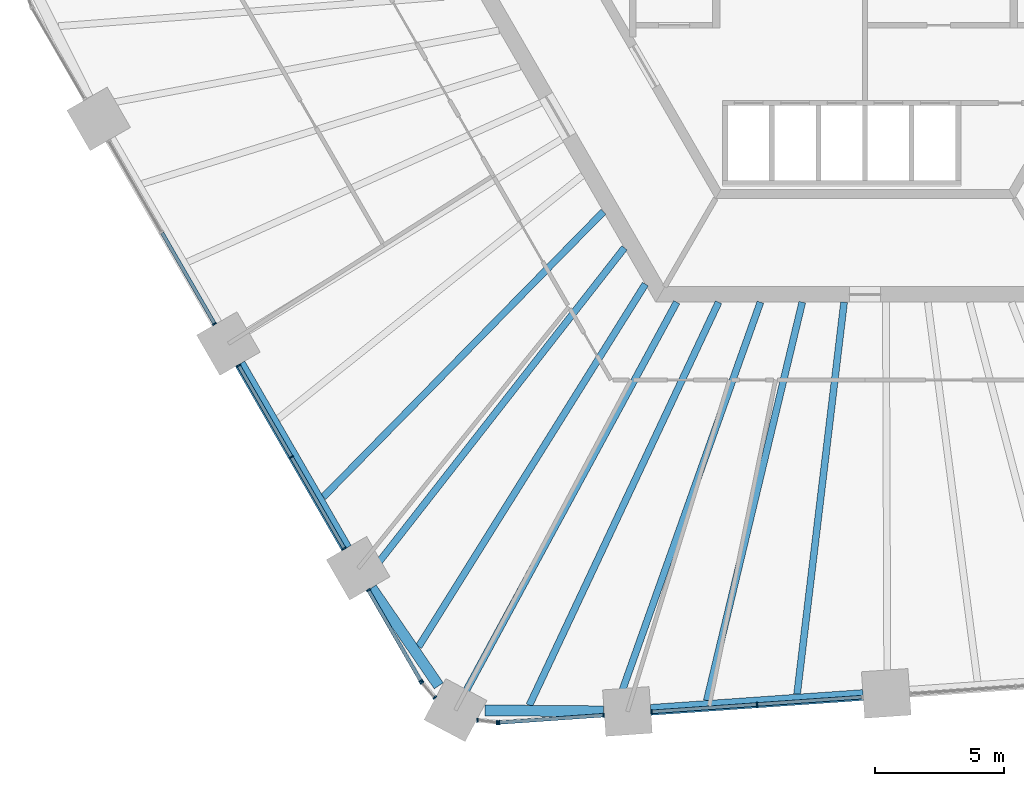
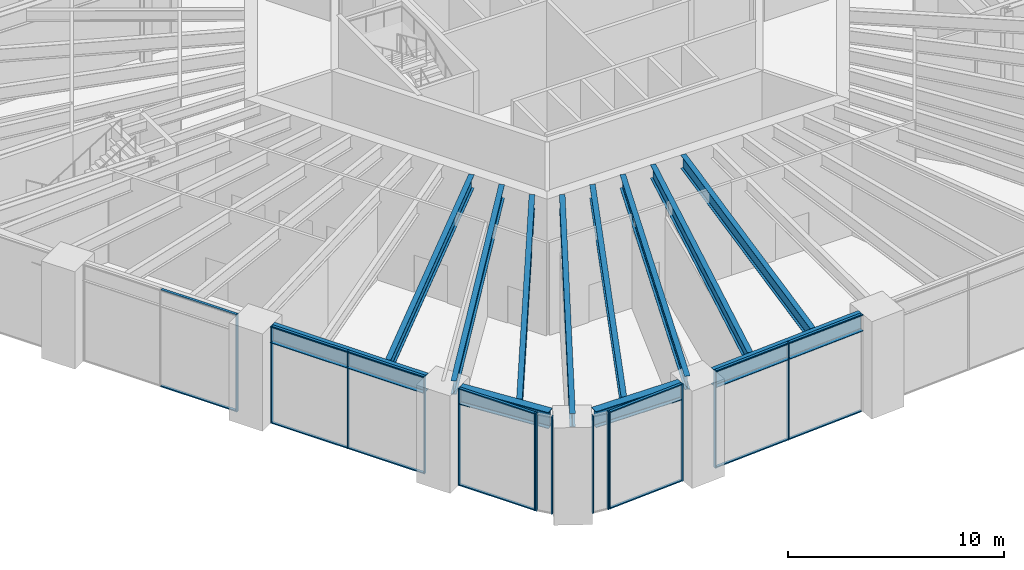
# One storey, part 3 of 30: 28 members, 12 beams, 7 elements without a shape of their own.
"""IFC4 building model written with IfcOpenShell, lengths in metres."""

from ifc_helpers import new_model, si_unit, direction, frame, origin, origin_2d, place, context, subcontext, project, spatial, rectangle, i_section, extrude, material, material_profile, profile_set, type_object, element, aggregate, save


model = new_model("IFC4")

# Units and contexts
model_context = context("Model", 3, precision=1e-05, world=origin(), true_north=direction((0.0, 1.0)))
body_context = subcontext(model_context, "Body", "Model", "MODEL_VIEW")
ifc_project = project(units=[si_unit("LENGTHUNIT", "METRE"), si_unit("AREAUNIT", "SQUARE_METRE"), si_unit("VOLUMEUNIT", "CUBIC_METRE"), si_unit("PLANEANGLEUNIT", "RADIAN"), si_unit("MASSUNIT", "GRAM", prefix="KILO")], contexts=[model_context])

# Site, building, storey
site_placement = place(None, origin())
site = spatial("IfcSite", under=ifc_project, at=site_placement, CompositionType="ELEMENT")
building_placement = place(site_placement, origin())
building = spatial("IfcBuilding", under=site, at=building_placement, Name="Tarnside Tower", CompositionType="ELEMENT")
storey_placement = place(building_placement, frame((0.0, 0.0, 20.5)))
storey = spatial("IfcBuildingStorey", under=building, at=storey_placement, Name="L03", CompositionType="ELEMENT", Elevation=20.5)

# Beams
ifc_material_1 = material(Name="Steel S355", Category="steel")
ifc_material_profile_1 = material_profile(ifc_material_1, i_section(OverallWidth=0.26513671875, OverallDepth=0.75390625, WebThickness=0.0126953125, FlangeThickness=0.017578125, FilletRadius=0.0166015625, at=origin_2d()), Name="UB 762x267x147")
ifc_profile_set_1 = profile_set([ifc_material_profile_1], Name="Steel S355")
beam_type_1 = type_object("IfcBeamType", Name="Floor beam UB 762x267x147", PredefinedType="BEAM", material=ifc_profile_set_1)
beam_1_placement = place(storey_placement, frame((-20.9296875, -21.528076171875, 4.873046875), z_axis=(0.700544155211, 0.713609057258, 0.0), x_axis=(-0.713609057258, 0.700544155211, 0.0)))
element("IfcBeam", 1, at=beam_1_placement, inside=storey, type_object=beam_type_1, Name="Floor beam F3.07", PredefinedType="BEAM", context=body_context, shape_type="SweptSolid", body=[
    extrude(i_section(OverallWidth=0.26513671875, OverallDepth=0.75390625, WebThickness=0.0126953125, FlangeThickness=0.017578125, FilletRadius=0.0166015625, at=origin_2d()), origin(), (0.0, 0.0, 1.0), 15.453857421875),
])
beam_2_placement = place(storey_placement, frame((-6.113037109375, -29.3876953125, 4.873046875), z_axis=(0.233085254069, 0.972456304589, 0.0), x_axis=(-0.972456304589, 0.233085254069, 0.0)))
element("IfcBeam", 2, at=beam_2_placement, inside=storey, type_object=beam_type_1, Name="Floor beam F4.03", PredefinedType="BEAM", context=body_context, shape_type="SweptSolid", body=[
    extrude(i_section(OverallWidth=0.26513671875, OverallDepth=0.75390625, WebThickness=0.0126953125, FlangeThickness=0.017578125, FilletRadius=0.0166015625, at=origin_2d()), origin(), (0.0, 0.0, 1.0), 15.823486328125),
])
beam_3_placement = place(storey_placement, frame((-2.62451171875, -29.143798828125, 4.873046875), z_axis=(0.119074527858, 0.992885319065, 0.0), x_axis=(-0.992885319065, 0.119074527858, 0.0)))
element("IfcBeam", 3, at=beam_3_placement, inside=storey, type_object=beam_type_1, Name="Floor beam F4.04", PredefinedType="BEAM", context=body_context, shape_type="SweptSolid", body=[
    extrude(i_section(OverallWidth=0.26513671875, OverallDepth=0.75390625, WebThickness=0.0126953125, FlangeThickness=0.017578125, FilletRadius=0.0166015625, at=origin_2d()), origin(), (0.0, 0.0, 1.0), 15.252197265625),
])
ifc_material_profile_2 = material_profile(ifc_material_1, i_section(OverallWidth=0.2666015625, OverallDepth=0.76220703125, WebThickness=0.014404296875, FlangeThickness=0.021484375, FilletRadius=0.0166015625, at=origin_2d()), Name="UB 762x267x173")
ifc_profile_set_2 = profile_set([ifc_material_profile_2], Name="Steel S355")
beam_type_2 = type_object("IfcBeamType", Name="Floor beam UB 762x267x173", PredefinedType="BEAM", material=ifc_profile_set_2)
beam_4_placement = place(storey_placement, frame((-19.159912109375, -24.52587890625, 4.868896484375), z_axis=(0.615661783207, 0.788010513063, 0.0), x_axis=(-0.788010513063, 0.615661783207, 0.0)))
element("IfcBeam", 4, at=beam_4_placement, inside=storey, type_object=beam_type_2, Name="Floor beam F3.08", PredefinedType="BEAM", context=body_context, shape_type="SweptSolid", body=[
    extrude(i_section(OverallWidth=0.2666015625, OverallDepth=0.76220703125, WebThickness=0.014404296875, FlangeThickness=0.021484375, FilletRadius=0.0166015625, at=origin_2d()), origin(), (0.0, 0.0, 1.0), 16.022705078125),
])
beam_5_placement = place(storey_placement, frame((-17.248779296875, -27.31103515625, 4.868896484375), z_axis=(0.530210075877, 0.847866307526, 0.0), x_axis=(-0.847866307526, 0.530210075877, 0.0)))
element("IfcBeam", 5, at=beam_5_placement, inside=storey, type_object=beam_type_2, Name="Floor beam F3.09", PredefinedType="BEAM", context=body_context, shape_type="SweptSolid", body=[
    extrude(i_section(OverallWidth=0.2666015625, OverallDepth=0.76220703125, WebThickness=0.014404296875, FlangeThickness=0.021484375, FilletRadius=0.0166015625, at=origin_2d()), origin(), (0.0, 0.0, 1.0), 16.52490234375),
])
beam_6_placement = place(storey_placement, frame((-15.70458984375, -29.550537109375, 4.868896484375), z_axis=(0.476577025957, 0.879132719406, 0.0), x_axis=(-0.879132719406, 0.476577025957, 0.0)))
element("IfcBeam", 6, at=beam_6_placement, inside=storey, type_object=beam_type_2, Name="Floor beam C3", PredefinedType="BEAM", context=body_context, shape_type="SweptSolid", body=[
    extrude(i_section(OverallWidth=0.2666015625, OverallDepth=0.76220703125, WebThickness=0.014404296875, FlangeThickness=0.021484375, FilletRadius=0.0166015625, at=origin_2d()), origin(), (0.0, 0.0, 1.0), 17.6884765625),
])
beam_7_placement = place(storey_placement, frame((-12.9677734375, -29.572265625, 4.868896484375), z_axis=(0.424925412272, 0.905228365665, 0.0), x_axis=(-0.905228365665, 0.424925412272, 0.0)))
element("IfcBeam", 7, at=beam_7_placement, inside=storey, type_object=beam_type_2, Name="Floor beam F4.01", PredefinedType="BEAM", context=body_context, shape_type="SweptSolid", body=[
    extrude(i_section(OverallWidth=0.2666015625, OverallDepth=0.76220703125, WebThickness=0.014404296875, FlangeThickness=0.021484375, FilletRadius=0.0166015625, at=origin_2d()), origin(), (0.0, 0.0, 1.0), 17.20263671875),
])
beam_8_placement = place(storey_placement, frame((-9.59130859375, -29.599365234375, 4.868896484375), z_axis=(0.335190018245, 0.942150546181, 0.0), x_axis=(-0.942150546181, 0.335190018245, 0.0)))
element("IfcBeam", 8, at=beam_8_placement, inside=storey, type_object=beam_type_2, Name="Floor beam F4.02", PredefinedType="BEAM", context=body_context, shape_type="SweptSolid", body=[
    extrude(i_section(OverallWidth=0.2666015625, OverallDepth=0.76220703125, WebThickness=0.014404296875, FlangeThickness=0.021484375, FilletRadius=0.0166015625, at=origin_2d()), origin(), (0.0, 0.0, 1.0), 16.55712890625),
])
ifc_material_2 = material(Name="Steel S460", Category="steel")
ifc_material_profile_3 = material_profile(ifc_material_2, i_section(OverallWidth=0.42041015625, OverallDepth=0.9208984375, WebThickness=0.021484375, FlangeThickness=0.03662109375, FilletRadius=0.024169921875, at=origin_2d()), Name="UB 914x419x388")
ifc_profile_set_3 = profile_set([ifc_material_profile_3], Name="Steel S460")
beam_type_3 = type_object("IfcBeamType", Name="Perimeter girder UB 914x419x388", PredefinedType="BEAM", material=ifc_profile_set_3)
beam_9_placement = place(storey_placement, frame((-24.145751953125, -16.378173828125, 4.78955078125), z_axis=(0.499989712218, -0.866031343357, 0.0), x_axis=(0.866031343357, 0.499989712218, 0.0)))
element("IfcBeam", 9, at=beam_9_placement, inside=storey, type_object=beam_type_3, Name="Perimeter girder M10", PredefinedType="BEAM", context=body_context, shape_type="SweptSolid", body=[
    extrude(i_section(OverallWidth=0.42041015625, OverallDepth=0.9208984375, WebThickness=0.021484375, FlangeThickness=0.03662109375, FilletRadius=0.024169921875, at=origin_2d()), origin(), (0.0, 0.0, 1.0), 8.223876953125),
])
for number, where, z_axis, x_axis, name in (
    (10, (-19.0634765625, -25.0380859375, 4.78955078125), (0.56579211703, -0.824547924809, 0.0), (0.824547924809, 0.56579211703, 0.0), "Perimeter girder M11"),
    (11, (-14.68359375, -29.768798828125, 4.78955078125), (0.999968120657, -0.007984839931, 0.0), (0.007984839931, 0.999968120657, 0.0), "Perimeter girder M12"),
):
    element("IfcBeam", number, at=place(storey_placement, frame(where, z_axis=z_axis, x_axis=x_axis)), inside=storey, type_object=beam_type_3, Name=name, PredefinedType="BEAM", context=body_context, shape_type="SweptSolid", body=[
        extrude(i_section(OverallWidth=0.42041015625, OverallDepth=0.9208984375, WebThickness=0.021484375, FlangeThickness=0.03662109375, FilletRadius=0.024169921875, at=origin_2d()), origin(), (0.0, 0.0, 1.0), 4.58642578125),
    ])
beam_10_placement = place(storey_placement, frame((-8.27978515625, -29.75, 4.78955078125), z_axis=(0.99756353515, 0.069763839764, 0.0), x_axis=(-0.069763839764, 0.99756353515, 0.0)))
element("IfcBeam", 12, at=beam_10_placement, inside=storey, type_object=beam_type_3, Name="Perimeter girder M13", PredefinedType="BEAM", context=body_context, shape_type="SweptSolid", body=[
    extrude(i_section(OverallWidth=0.42041015625, OverallDepth=0.9208984375, WebThickness=0.021484375, FlangeThickness=0.03662109375, FilletRadius=0.024169921875, at=origin_2d()), origin(), (0.0, 0.0, 1.0), 8.223876953125),
])

# Curtain wall, member
ifc_material_3 = material(Name="Retail shopfront glazing wall", Category="glass")
curtain_wall_type = type_object("IfcCurtainWallType", Name="Retail shopfront glazing wall", PredefinedType="NOTDEFINED", material=ifc_material_3)
curtain_wall_1_placement = place(storey_placement, origin())
curtain_wall_1 = element("IfcCurtainWall", 13, at=curtain_wall_1_placement, inside=storey, type_object=curtain_wall_type, Name="Retail shopfront glazing L03 08.0", PredefinedType="NOTDEFINED")
ifc_material_4 = material(Name="Aluminium alloy 6063", Category="aluminium")
ifc_material_profile_4 = material_profile(ifc_material_4, rectangle(XDim=0.159912109375, YDim=0.06005859375, at=origin_2d()), Name="Retail shopfront glazing mullion 60 x 160")
ifc_profile_set_4 = profile_set([ifc_material_profile_4], Name="Aluminium alloy 6063")
member_type_1 = type_object("IfcMemberType", Name="Retail shopfront glazing mullion 60 x 160", PredefinedType="MULLION", material=ifc_profile_set_4)
member_1_placement = place(storey_placement, frame((-25.130126953125, -14.83349609375, -0.25), z_axis=(0.0, 0.0, 1.0), x_axis=(0.866025403819, 0.49999999994, 0.0)))
member_1 = element("IfcMember", 14, at=member_1_placement, type_object=member_type_1, Name="CW2 mullion 3", PredefinedType="MULLION", context=body_context, shape_type="SweptSolid", body=[
    extrude(rectangle(XDim=0.159912109375, YDim=0.06005859375, at=origin_2d()), origin(), (0.0, 0.0, 1.0), 5.5),
])

# Curtain wall, members
curtain_wall_2_placement = place(storey_placement, origin())
curtain_wall_2 = element("IfcCurtainWall", 15, at=curtain_wall_2_placement, inside=storey, type_object=curtain_wall_type, Name="Retail shopfront glazing L03 09.0", PredefinedType="NOTDEFINED")
member_2_placement = place(storey_placement, frame((-24.2001953125, -16.4443359375, -0.25), z_axis=(0.0, 0.0, 1.0), x_axis=(0.866025403741, 0.500000000076, 0.0)))
member_2 = element("IfcMember", 16, at=member_2_placement, type_object=member_type_1, Name="CW2 mullion 1", PredefinedType="MULLION", context=body_context, shape_type="SweptSolid", body=[
    extrude(rectangle(XDim=0.159912109375, YDim=0.06005859375, at=origin_2d()), origin(), (0.0, 0.0, 1.0), 5.5),
])
member_3_placement = place(storey_placement, frame((-22.1591796875, -19.979248046875, -0.25), z_axis=(0.0, 0.0, 1.0), x_axis=(0.866025403741, 0.500000000076, 0.0)))
member_3 = element("IfcMember", 17, at=member_3_placement, type_object=member_type_1, Name="CW2 mullion 2", PredefinedType="MULLION", context=body_context, shape_type="SweptSolid", body=[
    extrude(rectangle(XDim=0.159912109375, YDim=0.06005859375, at=origin_2d()), origin(), (0.0, 0.0, 1.0), 5.5),
])
member_4_placement = place(storey_placement, frame((-20.1181640625, -23.51416015625, -0.25), z_axis=(0.0, 0.0, 1.0), x_axis=(0.866025403741, 0.500000000076, 0.0)))
member_4 = element("IfcMember", 18, at=member_4_placement, type_object=member_type_1, Name="CW2 mullion 3", PredefinedType="MULLION", context=body_context, shape_type="SweptSolid", body=[
    extrude(rectangle(XDim=0.159912109375, YDim=0.06005859375, at=origin_2d()), origin(), (0.0, 0.0, 1.0), 5.5),
])

curtain_wall_3_placement = place(storey_placement, origin())
curtain_wall_3 = element("IfcCurtainWall", 19, at=curtain_wall_3_placement, inside=storey, type_object=curtain_wall_type, Name="Retail shopfront glazing L03 10.0", PredefinedType="NOTDEFINED")
member_5_placement = place(storey_placement, frame((-19.188232421875, -25.125, -0.25), z_axis=(0.0, 0.0, 1.0), x_axis=(0.866025403872, 0.499999999849, 0.0)))
member_5 = element("IfcMember", 20, at=member_5_placement, type_object=member_type_1, Name="CW2 mullion 1", PredefinedType="MULLION", context=body_context, shape_type="SweptSolid", body=[
    extrude(rectangle(XDim=0.159912109375, YDim=0.06005859375, at=origin_2d()), origin(), (0.0, 0.0, 1.0), 5.5),
])
member_6_placement = place(storey_placement, frame((-17.162353515625, -28.634033203125, -0.25), z_axis=(0.0, 0.0, 1.0), x_axis=(0.866025403872, 0.499999999849, 0.0)))
member_6 = element("IfcMember", 21, at=member_6_placement, type_object=member_type_1, Name="CW2 mullion 2", PredefinedType="MULLION", context=body_context, shape_type="SweptSolid", body=[
    extrude(rectangle(XDim=0.159912109375, YDim=0.06005859375, at=origin_2d()), origin(), (0.0, 0.0, 1.0), 5.5),
])

curtain_wall_4_placement = place(storey_placement, origin())
curtain_wall_4 = element("IfcCurtainWall", 22, at=curtain_wall_4_placement, inside=storey, type_object=curtain_wall_type, Name="Retail shopfront glazing L03 10.1", PredefinedType="NOTDEFINED")
member_7_placement = place(storey_placement, frame((-17.119140625, -28.69482421875, -0.25), z_axis=(0.0, 0.0, 1.0), x_axis=(0.758513583345, 0.651657228826, 0.0)))
member_7 = element("IfcMember", 23, at=member_7_placement, type_object=member_type_1, Name="CW2 mullion 1", PredefinedType="MULLION", context=body_context, shape_type="SweptSolid", body=[
    extrude(rectangle(XDim=0.159912109375, YDim=0.06005859375, at=origin_2d()), origin(), (0.0, 0.0, 1.0), 5.5),
])
member_8_placement = place(storey_placement, frame((-16.623046875, -29.2724609375, -0.25), z_axis=(0.0, 0.0, 1.0), x_axis=(0.758513583345, 0.651657228826, 0.0)))
member_8 = element("IfcMember", 24, at=member_8_placement, type_object=member_type_1, Name="CW2 mullion 2", PredefinedType="MULLION", context=body_context, shape_type="SweptSolid", body=[
    extrude(rectangle(XDim=0.159912109375, YDim=0.06005859375, at=origin_2d()), origin(), (0.0, 0.0, 1.0), 5.5),
])
aggregate(curtain_wall_4, [member_7, member_8])

curtain_wall_5_placement = place(storey_placement, origin())
curtain_wall_5 = element("IfcCurtainWall", 25, at=curtain_wall_5_placement, inside=storey, type_object=curtain_wall_type, Name="Retail shopfront glazing L03 11.0", PredefinedType="NOTDEFINED")
member_9_placement = place(storey_placement, frame((-14.972412109375, -30.14990234375, -0.25), z_axis=(0.0, 0.0, 1.0), x_axis=(0.116092914044, 0.993238357751, 0.0)))
member_9 = element("IfcMember", 26, at=member_9_placement, type_object=member_type_1, Name="CW2 mullion 1", PredefinedType="MULLION", context=body_context, shape_type="SweptSolid", body=[
    extrude(rectangle(XDim=0.159912109375, YDim=0.06005859375, at=origin_2d()), origin(), (0.0, 0.0, 1.0), 5.5),
])
member_10_placement = place(storey_placement, frame((-14.21630859375, -30.23828125, -0.25), z_axis=(0.0, 0.0, 1.0), x_axis=(0.116092914044, 0.993238357751, 0.0)))
member_10 = element("IfcMember", 27, at=member_10_placement, type_object=member_type_1, Name="CW2 mullion 2", PredefinedType="MULLION", context=body_context, shape_type="SweptSolid", body=[
    extrude(rectangle(XDim=0.159912109375, YDim=0.06005859375, at=origin_2d()), origin(), (0.0, 0.0, 1.0), 5.5),
])
aggregate(curtain_wall_5, [member_9, member_10])

curtain_wall_6_placement = place(storey_placement, origin())
curtain_wall_6 = element("IfcCurtainWall", 28, at=curtain_wall_6_placement, inside=storey, type_object=curtain_wall_type, Name="Retail shopfront glazing L03 11.1", PredefinedType="NOTDEFINED")
member_11_placement = place(storey_placement, frame((-14.1416015625, -30.240234375, -0.25), z_axis=(0.0, 0.0, 1.0), x_axis=(-0.069756473918, 0.997564050248, 0.0)))
member_11 = element("IfcMember", 29, at=member_11_placement, type_object=member_type_1, Name="CW2 mullion 1", PredefinedType="MULLION", context=body_context, shape_type="SweptSolid", body=[
    extrude(rectangle(XDim=0.159912109375, YDim=0.06005859375, at=origin_2d()), origin(), (0.0, 0.0, 1.0), 5.5),
])
member_12_placement = place(storey_placement, frame((-10.099609375, -29.95751953125, -0.25), z_axis=(0.0, 0.0, 1.0), x_axis=(-0.069756473918, 0.997564050248, 0.0)))
member_12 = element("IfcMember", 30, at=member_12_placement, type_object=member_type_1, Name="CW2 mullion 2", PredefinedType="MULLION", context=body_context, shape_type="SweptSolid", body=[
    extrude(rectangle(XDim=0.159912109375, YDim=0.06005859375, at=origin_2d()), origin(), (0.0, 0.0, 1.0), 5.5),
])

curtain_wall_7_placement = place(storey_placement, origin())
curtain_wall_7 = element("IfcCurtainWall", 31, at=curtain_wall_7_placement, inside=storey, type_object=curtain_wall_type, Name="Retail shopfront glazing L03 12.0", PredefinedType="NOTDEFINED")
member_13_placement = place(storey_placement, frame((-8.244140625, -29.82763671875, -0.25), z_axis=(0.0, 0.0, 1.0), x_axis=(-0.069756473779, 0.997564050257, 0.0)))
member_13 = element("IfcMember", 32, at=member_13_placement, type_object=member_type_1, Name="CW2 mullion 1", PredefinedType="MULLION", context=body_context, shape_type="SweptSolid", body=[
    extrude(rectangle(XDim=0.159912109375, YDim=0.06005859375, at=origin_2d()), origin(), (0.0, 0.0, 1.0), 5.5),
])
member_14_placement = place(storey_placement, frame((-4.17236328125, -29.54296875, -0.25), z_axis=(0.0, 0.0, 1.0), x_axis=(-0.069756473779, 0.997564050257, 0.0)))
member_14 = element("IfcMember", 33, at=member_14_placement, type_object=member_type_1, Name="CW2 mullion 2", PredefinedType="MULLION", context=body_context, shape_type="SweptSolid", body=[
    extrude(rectangle(XDim=0.159912109375, YDim=0.06005859375, at=origin_2d()), origin(), (0.0, 0.0, 1.0), 5.5),
])

# Member
ifc_material_profile_5 = material_profile(ifc_material_4, rectangle(XDim=0.139892578125, YDim=0.06005859375, at=origin_2d()), Name="Retail shopfront glazing transom 60 x 140")
ifc_profile_set_5 = profile_set([ifc_material_profile_5], Name="Aluminium alloy 6063")
member_type_2 = type_object("IfcMemberType", Name="Retail shopfront glazing transom 60 x 140", PredefinedType="USERDEFINED", material=ifc_profile_set_5)
member_15_placement = place(storey_placement, frame((-27.156005859375, -11.324462890625, -0.219970703125), z_axis=(0.500023722852, -0.866011706956, 0.0), x_axis=(0.866011706956, 0.500023722852, 0.0)))
member_15 = element("IfcMember", 34, at=member_15_placement, type_object=member_type_2, Name="CW2 transom 2.1", ObjectType="TRANSOM", PredefinedType="USERDEFINED", context=body_context, shape_type="SweptSolid", body=[
    extrude(rectangle(XDim=0.139892578125, YDim=0.06005859375, at=origin_2d()), origin(), (0.0, 0.0, 1.0), 4.021728515625),
])

member_16_placement = place(storey_placement, frame((-27.156005859375, -11.324462890625, 5.219970703125), z_axis=(0.500023722852, -0.866011706956, 0.0), x_axis=(0.866011706956, 0.500023722852, 0.0)))
member_16 = element("IfcMember", 35, at=member_16_placement, type_object=member_type_2, Name="CW2 transom 2.2", ObjectType="TRANSOM", PredefinedType="USERDEFINED", context=body_context, shape_type="SweptSolid", body=[
    extrude(rectangle(XDim=0.139892578125, YDim=0.06005859375, at=origin_2d()), origin(), (0.0, 0.0, 1.0), 4.021728515625),
])

aggregate(curtain_wall_1, [member_1, member_15, member_16])

member_17_placement = place(storey_placement, frame((-24.18505859375, -16.47021484375, -0.219970703125), z_axis=(0.500023722852, -0.866011706956, 0.0), x_axis=(0.866011706956, 0.500023722852, 0.0)))
member_17 = element("IfcMember", 36, at=member_17_placement, type_object=member_type_2, Name="CW2 transom 1.1", ObjectType="TRANSOM", PredefinedType="USERDEFINED", context=body_context, shape_type="SweptSolid", body=[
    extrude(rectangle(XDim=0.139892578125, YDim=0.06005859375, at=origin_2d()), origin(), (0.0, 0.0, 1.0), 4.021728515625),
])

member_18_placement = place(storey_placement, frame((-24.18505859375, -16.47021484375, 5.219970703125), z_axis=(0.500023722852, -0.866011706956, 0.0), x_axis=(0.866011706956, 0.500023722852, 0.0)))
member_18 = element("IfcMember", 37, at=member_18_placement, type_object=member_type_2, Name="CW2 transom 1.2", ObjectType="TRANSOM", PredefinedType="USERDEFINED", context=body_context, shape_type="SweptSolid", body=[
    extrude(rectangle(XDim=0.139892578125, YDim=0.06005859375, at=origin_2d()), origin(), (0.0, 0.0, 1.0), 4.021728515625),
])

member_19_placement = place(storey_placement, frame((-22.14404296875, -20.005126953125, -0.219970703125), z_axis=(0.499951909034, -0.866053167337, 0.0), x_axis=(0.866053167337, 0.499951909034, 0.0)))
member_19 = element("IfcMember", 38, at=member_19_placement, type_object=member_type_2, Name="CW2 transom 2.1", ObjectType="TRANSOM", PredefinedType="USERDEFINED", context=body_context, shape_type="SweptSolid", body=[
    extrude(rectangle(XDim=0.139892578125, YDim=0.06005859375, at=origin_2d()), origin(), (0.0, 0.0, 1.0), 4.02197265625),
])

member_20_placement = place(storey_placement, frame((-22.14404296875, -20.005126953125, 5.219970703125), z_axis=(0.499951909034, -0.866053167337, 0.0), x_axis=(0.866053167337, 0.499951909034, 0.0)))
member_20 = element("IfcMember", 39, at=member_20_placement, type_object=member_type_2, Name="CW2 transom 2.2", ObjectType="TRANSOM", PredefinedType="USERDEFINED", context=body_context, shape_type="SweptSolid", body=[
    extrude(rectangle(XDim=0.139892578125, YDim=0.06005859375, at=origin_2d()), origin(), (0.0, 0.0, 1.0), 4.02197265625),
])

aggregate(curtain_wall_2, [member_2, member_3, member_4, member_17, member_18, member_19, member_20])

member_21_placement = place(storey_placement, frame((-19.17333984375, -25.15087890625, -0.219970703125), z_axis=(0.500033033937, -0.866006330792, 0.0), x_axis=(0.866006330792, 0.500033033937, 0.0)))
member_21 = element("IfcMember", 40, at=member_21_placement, type_object=member_type_2, Name="CW2 transom 1.1", ObjectType="TRANSOM", PredefinedType="USERDEFINED", context=body_context, shape_type="SweptSolid", body=[
    extrude(rectangle(XDim=0.139892578125, YDim=0.06005859375, at=origin_2d()), origin(), (0.0, 0.0, 1.0), 3.991943359375),
])

member_22_placement = place(storey_placement, frame((-19.17333984375, -25.15087890625, 5.219970703125), z_axis=(0.500033033937, -0.866006330792, 0.0), x_axis=(0.866006330792, 0.500033033937, 0.0)))
member_22 = element("IfcMember", 41, at=member_22_placement, type_object=member_type_2, Name="CW2 transom 1.2", ObjectType="TRANSOM", PredefinedType="USERDEFINED", context=body_context, shape_type="SweptSolid", body=[
    extrude(rectangle(XDim=0.139892578125, YDim=0.06005859375, at=origin_2d()), origin(), (0.0, 0.0, 1.0), 3.991943359375),
])

aggregate(curtain_wall_3, [member_5, member_6, member_21, member_22])

member_23_placement = place(storey_placement, frame((-14.111572265625, -30.238037109375, -0.219970703125), z_axis=(0.997561948586, 0.069786522583, 0.0), x_axis=(-0.069786522583, 0.997561948586, 0.0)))
member_23 = element("IfcMember", 42, at=member_23_placement, type_object=member_type_2, Name="CW2 transom 1.1", ObjectType="TRANSOM", PredefinedType="USERDEFINED", context=body_context, shape_type="SweptSolid", body=[
    extrude(rectangle(XDim=0.139892578125, YDim=0.06005859375, at=origin_2d()), origin(), (0.0, 0.0, 1.0), 3.99169921875),
])

member_24_placement = place(storey_placement, frame((-14.111572265625, -30.238037109375, 5.219970703125), z_axis=(0.997561948586, 0.069786522583, 0.0), x_axis=(-0.069786522583, 0.997561948586, 0.0)))
member_24 = element("IfcMember", 43, at=member_24_placement, type_object=member_type_2, Name="CW2 transom 1.2", ObjectType="TRANSOM", PredefinedType="USERDEFINED", context=body_context, shape_type="SweptSolid", body=[
    extrude(rectangle(XDim=0.139892578125, YDim=0.06005859375, at=origin_2d()), origin(), (0.0, 0.0, 1.0), 3.99169921875),
])

aggregate(curtain_wall_6, [member_11, member_12, member_23, member_24])

member_25_placement = place(storey_placement, frame((-8.21435546875, -29.82568359375, -0.219970703125), z_axis=(0.99756479881, 0.069745768153, 0.0), x_axis=(-0.069745768153, 0.99756479881, 0.0)))
member_25 = element("IfcMember", 44, at=member_25_placement, type_object=member_type_2, Name="CW2 transom 1.1", ObjectType="TRANSOM", PredefinedType="USERDEFINED", context=body_context, shape_type="SweptSolid", body=[
    extrude(rectangle(XDim=0.139892578125, YDim=0.06005859375, at=origin_2d()), origin(), (0.0, 0.0, 1.0), 4.02197265625),
])

member_26_placement = place(storey_placement, frame((-8.21435546875, -29.82568359375, 5.219970703125), z_axis=(0.99756479881, 0.069745768153, 0.0), x_axis=(-0.069745768153, 0.99756479881, 0.0)))
member_26 = element("IfcMember", 45, at=member_26_placement, type_object=member_type_2, Name="CW2 transom 1.2", ObjectType="TRANSOM", PredefinedType="USERDEFINED", context=body_context, shape_type="SweptSolid", body=[
    extrude(rectangle(XDim=0.139892578125, YDim=0.06005859375, at=origin_2d()), origin(), (0.0, 0.0, 1.0), 4.02197265625),
])

member_27_placement = place(storey_placement, frame((-4.142333984375, -29.541015625, -0.219970703125), z_axis=(0.997560277835, 0.069810400992, 0.0), x_axis=(-0.069810400992, 0.997560277835, 0.0)))
member_27 = element("IfcMember", 46, at=member_27_placement, type_object=member_type_2, Name="CW2 transom 2.1", ObjectType="TRANSOM", PredefinedType="USERDEFINED", context=body_context, shape_type="SweptSolid", body=[
    extrude(rectangle(XDim=0.139892578125, YDim=0.06005859375, at=origin_2d()), origin(), (0.0, 0.0, 1.0), 4.021728515625),
])

member_28_placement = place(storey_placement, frame((-4.142333984375, -29.541015625, 5.219970703125), z_axis=(0.997560277835, 0.069810400992, 0.0), x_axis=(-0.069810400992, 0.997560277835, 0.0)))
member_28 = element("IfcMember", 47, at=member_28_placement, type_object=member_type_2, Name="CW2 transom 2.2", ObjectType="TRANSOM", PredefinedType="USERDEFINED", context=body_context, shape_type="SweptSolid", body=[
    extrude(rectangle(XDim=0.139892578125, YDim=0.06005859375, at=origin_2d()), origin(), (0.0, 0.0, 1.0), 4.021728515625),
])

aggregate(curtain_wall_7, [member_13, member_14, member_25, member_26, member_27, member_28])

save(model, "model.ifc")
